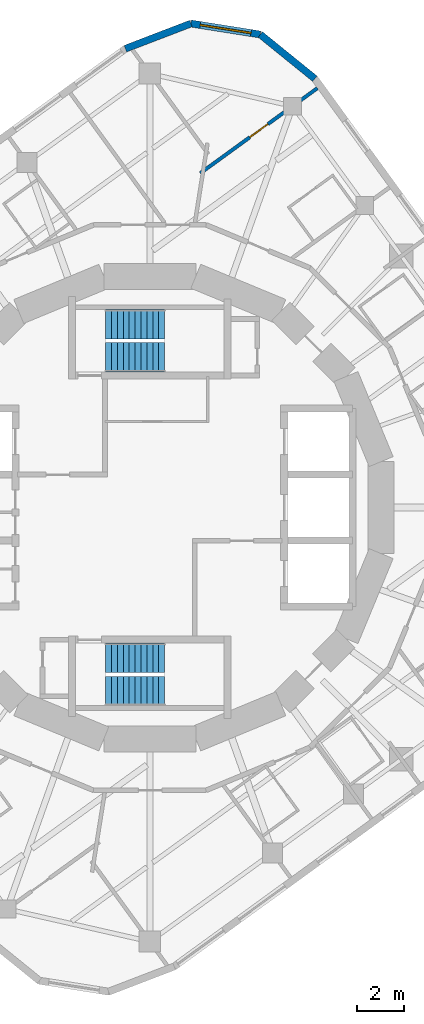
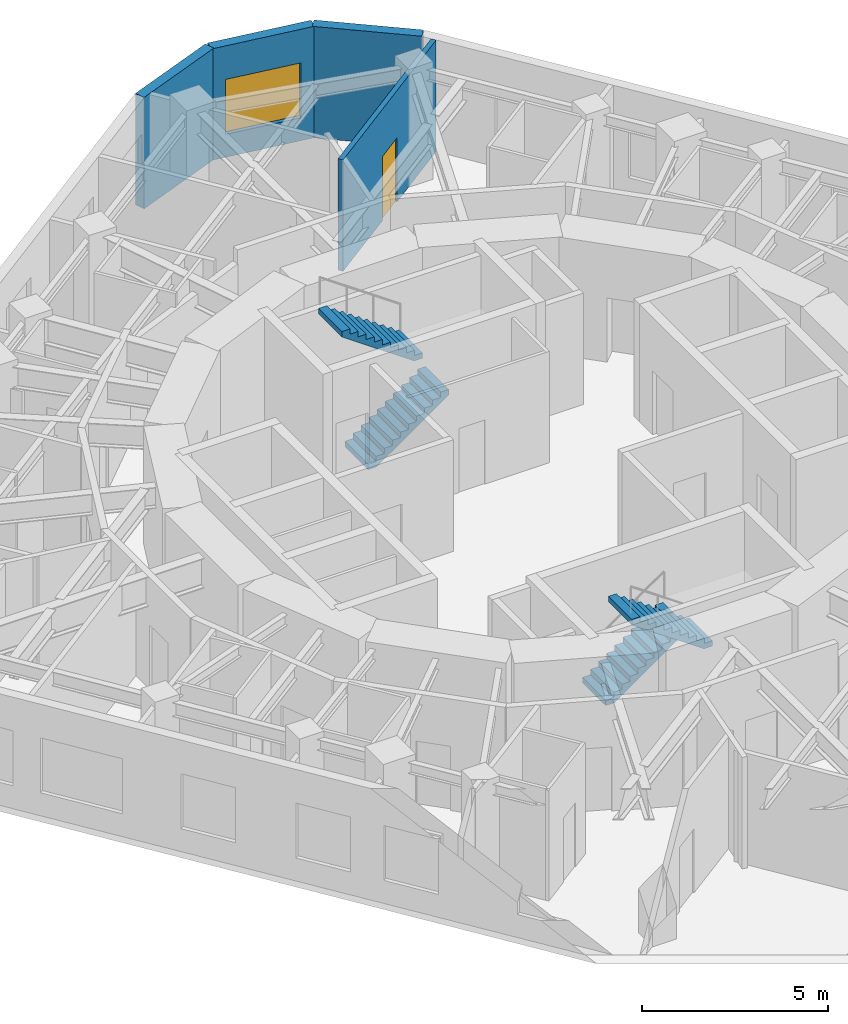
# One storey, part 8 of 9: 4 stair flights, 4 walls, 1 door, 1 window, 2 openings, 2 elements without a shape of their own.
"""IFC4 building model written with IfcOpenShell, lengths in metres."""

from ifc_helpers import new_model, si_unit, direction, frame, frame_2d, origin, place, context, subcontext, project, spatial, polyline, rectangle, outline, extrude, material, layer, layer_set, type_object, element, fill, aggregate, save


model = new_model("IFC4")

# Units and contexts
model_context = context("Model", 3, precision=1e-05, world=origin(), true_north=direction((0.0, 1.0)))
body_context = subcontext(model_context, "Body", "Model", "MODEL_VIEW")
ifc_project = project(units=[si_unit("LENGTHUNIT", "METRE"), si_unit("AREAUNIT", "SQUARE_METRE"), si_unit("VOLUMEUNIT", "CUBIC_METRE"), si_unit("PLANEANGLEUNIT", "RADIAN"), si_unit("MASSUNIT", "GRAM", prefix="KILO")], contexts=[model_context])

# Site, building, storey
site_placement = place(None, origin())
site = spatial("IfcSite", under=ifc_project, at=site_placement, CompositionType="ELEMENT")
building_placement = place(site_placement, origin())
building = spatial("IfcBuilding", under=site, at=building_placement, Name="Nakasero Lantern House", CompositionType="ELEMENT")
storey_placement = place(building_placement, frame((0.0, 0.0, 279.14990234375)))
storey = spatial("IfcBuildingStorey", under=building, at=storey_placement, Name="L68", CompositionType="ELEMENT", Elevation=279.14990234375)

# Wall
ifc_material_1 = material(Name="Aluminium rainscreen on blockwork", Category="masonry")
ifc_layer_1 = layer(ifc_material_1, 0.300048828125)
ifc_layer_set_1 = layer_set([ifc_layer_1], Name="Facade wall 300")
wall_type_1 = type_object("IfcWallType", Name="Facade wall 300", PredefinedType="SOLIDWALL", material=ifc_layer_set_1)
wall_1_placement = place(storey_placement, frame((6.996826171875, 18.185791015625, 0.0), z_axis=(0.0, 0.0, 1.0), x_axis=(-0.777101588319, 0.629375183362, 0.0)))
element("IfcWall", 1, at=wall_1_placement, inside=storey, type_object=wall_type_1, Name="Facade wall L68 FW0C1", PredefinedType="SOLIDWALL", context=body_context, shape_type="SweptSolid", body=[
    extrude(rectangle(XDim=2.976318359375, YDim=0.300048828125, at=frame_2d((1.48828125, 0.0))), origin(), (0.0, 0.0, 1.0), 3.650146484375),
])

# Wall, opening, window
wall_2_placement = place(storey_placement, frame((4.683837890625, 20.05908203125, 0.0), z_axis=(0.0, 0.0, 1.0), x_axis=(-0.987691704133, 0.156413227021, 0.0)))
wall_2 = element("IfcWall", 2, at=wall_2_placement, inside=storey, type_object=wall_type_1, Name="Facade wall L68 FW0C2", PredefinedType="SOLIDWALL", context=body_context, shape_type="SweptSolid", body=[
    extrude(rectangle(XDim=2.9765625, YDim=0.300048828125, at=frame_2d((1.48828125, 0.0))), origin(), (0.0, 0.0, 1.0), 3.650146484375),
])
opening_1_placement = place(wall_2_placement, frame((0.39990234375, 0.0, 0.75)))
opening_1 = element("IfcOpeningElement", 3, at=opening_1_placement, cuts=wall_2, Name="Opening W221", PredefinedType="OPENING", context=body_context, shape_type="SweptSolid", body=[
    extrude(rectangle(XDim=2.176025390625, YDim=1.800048828125, at=frame_2d((1.087890625, 0.89990234375))), frame((0.0, 0.169921875, 0.0), z_axis=(0.0, -1.0, 0.0), x_axis=(1.0, 0.0, 0.0)), (0.0, 0.0, 1.0), 0.340087890625),
])
ifc_material_2 = material(Name="Aluminium 6063-T6 and glass", Category="aluminium")
window_type = type_object("IfcWindowType", Name="Corner window 2176x1800", PartitioningType="SINGLE_PANEL", PredefinedType="WINDOW", material=ifc_material_2)
window_placement = place(opening_1_placement, origin())
window = element("IfcWindow", 4, at=window_placement, inside=storey, type_object=window_type, Name="Window L68 WC0", OverallHeight=1.800048828125, OverallWidth=2.176025390625, PartitioningType="SINGLE_PANEL", PredefinedType="WINDOW", context=body_context, shape_type="SweptSolid", body=[
    extrude(rectangle(XDim=2.176025390625, YDim=1.800048828125, at=frame_2d((1.087890625, 0.89990234375))), frame((0.0, 0.030029296875, 0.0), z_axis=(0.0, -1.0, 0.0), x_axis=(1.0, 0.0, 0.0)), (0.0, 0.0, 1.0), 0.06005859375),
])
fill(opening_1, window)

# Wall
wall_3_placement = place(storey_placement, frame((1.743896484375, 20.524658203125, 0.0), z_axis=(0.0, 0.0, 1.0), x_axis=(-0.933573745966, -0.35838535244, 0.0)))
element("IfcWall", 5, at=wall_3_placement, inside=storey, type_object=wall_type_1, Name="Facade wall L68 FW0C3", PredefinedType="SOLIDWALL", context=body_context, shape_type="SweptSolid", body=[
    extrude(rectangle(XDim=2.976318359375, YDim=0.300048828125, at=frame_2d((1.48828125, 0.0))), origin(), (0.0, 0.0, 1.0), 3.650146484375),
])

# Wall, opening, door
ifc_material_3 = material(Name="Blockwork", Category="masonry")
ifc_layer_2 = layer(ifc_material_3, 0.14990234375)
ifc_layer_set_2 = layer_set([ifc_layer_2], Name="Party wall 150")
wall_type_2 = type_object("IfcWallType", Name="Party wall 150", PredefinedType="PARTITIONING", material=ifc_layer_set_2)
wall_4_placement = place(storey_placement, frame((2.137939453125, 14.1767578125, 0.0), z_axis=(0.0, 0.0, 1.0), x_axis=(0.809024975628, 0.587774266883, 0.0)))
wall_4 = element("IfcWall", 6, at=wall_4_placement, inside=storey, type_object=wall_type_2, Name="Party wall L68 PW0-07", PredefinedType="PARTITIONING", context=body_context, shape_type="SweptSolid", body=[
    extrude(rectangle(XDim=6.137451171875, YDim=0.14990234375, at=frame_2d((3.06884765625, 0.0))), origin(), (0.0, 0.0, 1.0), 3.650146484375),
])
opening_2_placement = place(wall_4_placement, frame((2.60009765625, 0.0, 0.0)))
opening_2 = element("IfcOpeningElement", 7, at=opening_2_placement, cuts=wall_4, Name="Opening D01", PredefinedType="OPENING", context=body_context, shape_type="SweptSolid", body=[
    extrude(rectangle(XDim=0.949951171875, YDim=2.10009765625, at=frame_2d((0.47509765625, 1.050048828125))), frame((0.0, 0.094970703125, 0.0), z_axis=(0.0, -1.0, 0.0), x_axis=(1.0, 0.0, 0.0)), (0.0, 0.0, 1.0), 0.18994140625),
])
ifc_material_4 = material(Name="Timber C24", Category="wood")
door_type = type_object("IfcDoorType", Name="Bedroom door FD30S 950", OperationType="SINGLE_SWING_LEFT", PredefinedType="DOOR", material=ifc_material_4)
door_placement = place(opening_2_placement, origin())
door = element("IfcDoor", 8, at=door_placement, inside=storey, type_object=door_type, Name="Door L68 DC0", OperationType="SINGLE_SWING_RIGHT", OverallHeight=2.10009765625, OverallWidth=0.949951171875, PredefinedType="DOOR", context=body_context, shape_type="SweptSolid", body=[
    extrude(rectangle(XDim=0.949951171875, YDim=2.10009765625, at=frame_2d((0.47509765625, 1.050048828125))), frame((0.0, 0.02490234375, 0.0), z_axis=(0.0, -1.0, 0.0), x_axis=(1.0, 0.0, 0.0)), (0.0, 0.0, 1.0), 0.050048828125),
])
fill(opening_2, door)

# Stair, stair flights
ifc_material_5 = material(Name="Concrete C40/50", Category="concrete")
stair_type_1 = type_object("IfcStairType", Name="Escape stair ST1 22 risers", PredefinedType="HALF_TURN_STAIR", material=ifc_material_5)
stair_1_placement = place(storey_placement, origin())
stair_1 = element("IfcStair", 9, at=stair_1_placement, inside=storey, type_object=stair_type_1, Name="Escape stair ST1 L68", PredefinedType="HALF_TURN_STAIR")
ifc_material_6 = material(Name="Concrete C40/50", Category="concrete")
stair_flight_type = type_object("IfcStairFlightType", Name="Escape stair flight", PredefinedType="STRAIGHT", material=ifc_material_6)
stair_flight_1_placement = place(storey_placement, frame((-1.875, 6.375, 0.0), z_axis=(0.0, 0.0, 1.0), x_axis=(1.0, 0.0, 0.0)))
stair_flight_1 = element("IfcStairFlight", 10, at=stair_flight_1_placement, type_object=stair_flight_type, Name="ST1 flight 1", NumberOfRisers=11, NumberOfTreads=10, PredefinedType="STRAIGHT", RiserHeight=0.175, TreadLength=0.25, context=body_context, shape_type="SweptSolid", body=[
    extrude(outline(polyline([(0.0, 0.0), (0.0, 0.175048828125), (0.25, 0.175048828125), (0.25, 0.35009765625), (0.5, 0.35009765625), (0.5, 0.52490234375), (0.75, 0.52490234375), (0.75, 0.699951171875), (1.0, 0.699951171875), (1.0, 0.875), (1.25, 0.875), (1.25, 1.050048828125), (1.5, 1.050048828125), (1.5, 1.22509765625), (1.75, 1.22509765625), (1.75, 1.39990234375), (2.0, 1.39990234375), (2.0, 1.574951171875), (2.25, 1.574951171875), (2.25, 1.75), (2.5, 1.75), (2.5, 1.925048828125), (2.5, 1.567138671875), (0.261474609375, 0.0), (0.0, 0.0)])), frame((0.0, 0.625, 0.0), z_axis=(0.0, -1.0, 0.0), x_axis=(1.0, 0.0, 0.0)), (0.0, 0.0, 1.0), 1.25),
])
stair_flight_2_placement = place(storey_placement, frame((0.625, 7.77490234375, 1.925048828125), z_axis=(0.0, 0.0, 1.0), x_axis=(-1.0, 0.0, 0.0)))
stair_flight_2 = element("IfcStairFlight", 11, at=stair_flight_2_placement, type_object=stair_flight_type, Name="ST1 flight 2", NumberOfRisers=11, NumberOfTreads=10, PredefinedType="STRAIGHT", RiserHeight=0.175, TreadLength=0.25, context=body_context, shape_type="SweptSolid", body=[
    extrude(outline(polyline([(0.0, 0.0), (0.0, 0.175048828125), (0.25, 0.175048828125), (0.25, 0.35009765625), (0.5, 0.35009765625), (0.5, 0.52490234375), (0.75, 0.52490234375), (0.75, 0.699951171875), (1.0, 0.699951171875), (1.0, 0.875), (1.25, 0.875), (1.25, 1.050048828125), (1.5, 1.050048828125), (1.5, 1.22509765625), (1.75, 1.22509765625), (1.75, 1.39990234375), (2.0, 1.39990234375), (2.0, 1.574951171875), (2.25, 1.574951171875), (2.25, 1.75), (2.5, 1.75), (2.5, 1.925048828125), (2.5, 1.567138671875), (0.261474609375, 0.0), (0.0, 0.0)])), frame((0.0, 0.625, 0.0), z_axis=(0.0, -1.0, 0.0), x_axis=(1.0, 0.0, 0.0)), (0.0, 0.0, 1.0), 1.25),
])
aggregate(stair_1, [stair_flight_1, stair_flight_2])

ifc_material_7 = material(Name="Concrete C40/50", Category="concrete")
stair_type_2 = type_object("IfcStairType", Name="Escape stair ST2 22 risers", PredefinedType="HALF_TURN_STAIR", material=ifc_material_7)
stair_2_placement = place(storey_placement, origin())
stair_2 = element("IfcStair", 12, at=stair_2_placement, inside=storey, type_object=stair_type_2, Name="Escape stair ST2 L68", PredefinedType="HALF_TURN_STAIR")
stair_flight_3_placement = place(storey_placement, frame((-1.875, -6.375, 0.0), z_axis=(0.0, 0.0, 1.0), x_axis=(1.0, 0.0, 0.0)))
stair_flight_3 = element("IfcStairFlight", 13, at=stair_flight_3_placement, type_object=stair_flight_type, Name="ST2 flight 1", NumberOfRisers=11, NumberOfTreads=10, PredefinedType="STRAIGHT", RiserHeight=0.175, TreadLength=0.25, context=body_context, shape_type="SweptSolid", body=[
    extrude(outline(polyline([(0.0, 0.0), (0.0, 0.175048828125), (0.25, 0.175048828125), (0.25, 0.35009765625), (0.5, 0.35009765625), (0.5, 0.52490234375), (0.75, 0.52490234375), (0.75, 0.699951171875), (1.0, 0.699951171875), (1.0, 0.875), (1.25, 0.875), (1.25, 1.050048828125), (1.5, 1.050048828125), (1.5, 1.22509765625), (1.75, 1.22509765625), (1.75, 1.39990234375), (2.0, 1.39990234375), (2.0, 1.574951171875), (2.25, 1.574951171875), (2.25, 1.75), (2.5, 1.75), (2.5, 1.925048828125), (2.5, 1.567138671875), (0.261474609375, 0.0), (0.0, 0.0)])), frame((0.0, 0.625, 0.0), z_axis=(0.0, -1.0, 0.0), x_axis=(1.0, 0.0, 0.0)), (0.0, 0.0, 1.0), 1.25),
])
stair_flight_4_placement = place(storey_placement, frame((0.625, -7.77490234375, 1.925048828125), z_axis=(0.0, 0.0, 1.0), x_axis=(-1.0, 0.0, 0.0)))
stair_flight_4 = element("IfcStairFlight", 14, at=stair_flight_4_placement, type_object=stair_flight_type, Name="ST2 flight 2", NumberOfRisers=11, NumberOfTreads=10, PredefinedType="STRAIGHT", RiserHeight=0.175, TreadLength=0.25, context=body_context, shape_type="SweptSolid", body=[
    extrude(outline(polyline([(0.0, 0.0), (0.0, 0.175048828125), (0.25, 0.175048828125), (0.25, 0.35009765625), (0.5, 0.35009765625), (0.5, 0.52490234375), (0.75, 0.52490234375), (0.75, 0.699951171875), (1.0, 0.699951171875), (1.0, 0.875), (1.25, 0.875), (1.25, 1.050048828125), (1.5, 1.050048828125), (1.5, 1.22509765625), (1.75, 1.22509765625), (1.75, 1.39990234375), (2.0, 1.39990234375), (2.0, 1.574951171875), (2.25, 1.574951171875), (2.25, 1.75), (2.5, 1.75), (2.5, 1.925048828125), (2.5, 1.567138671875), (0.261474609375, 0.0), (0.0, 0.0)])), frame((0.0, 0.625, 0.0), z_axis=(0.0, -1.0, 0.0), x_axis=(1.0, 0.0, 0.0)), (0.0, 0.0, 1.0), 1.25),
])
aggregate(stair_2, [stair_flight_3, stair_flight_4])

save(model, "model.ifc")
